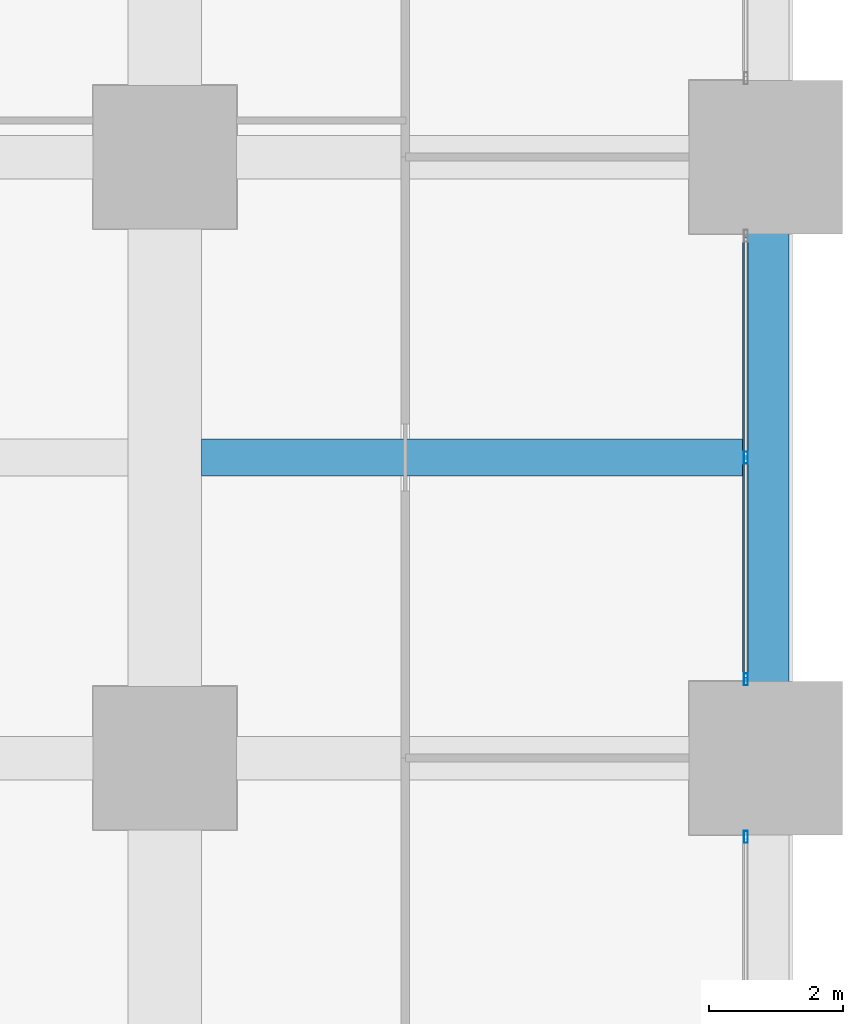
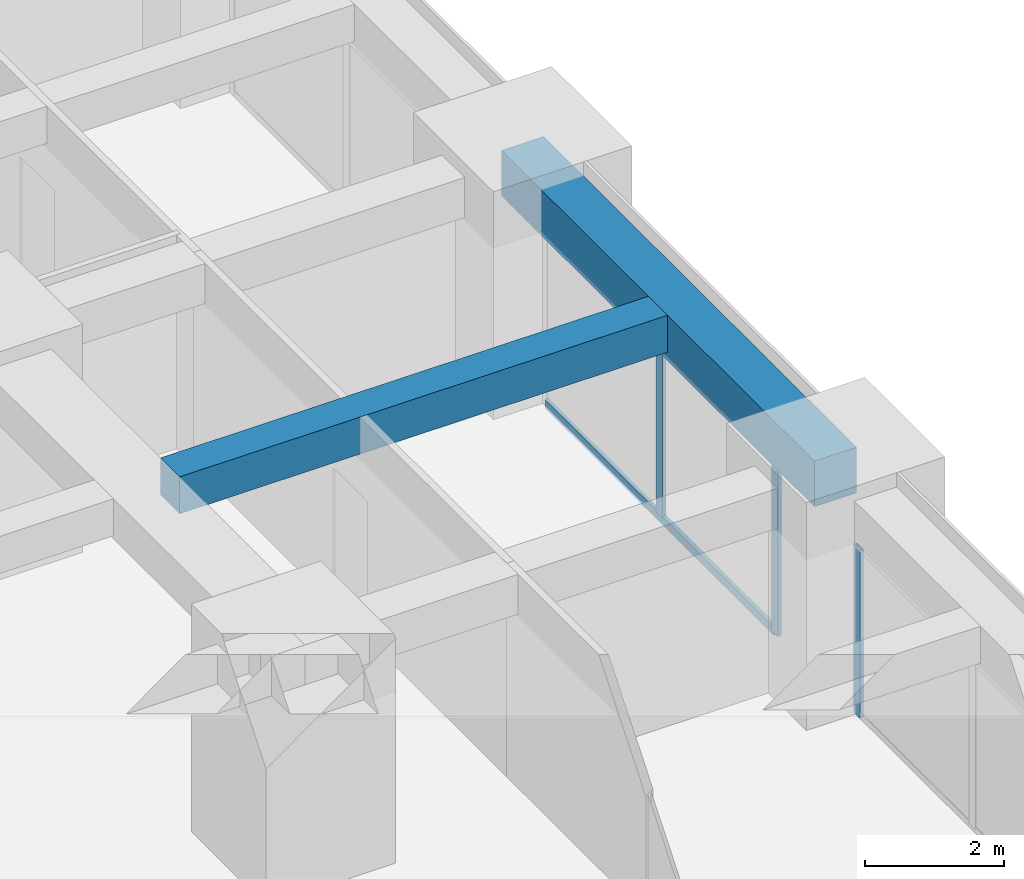
# One storey, part 22 of 44: 4 members, 2 beams, 2 elements without a shape of their own.
"""IFC4 building model written with IfcOpenShell, lengths in metres."""

from ifc_helpers import new_model, si_unit, direction, frame, origin, origin_2d, place, context, subcontext, project, spatial, rectangle, hollow_rectangle, extrude, material, material_profile, profile_set, type_object, element, aggregate, save


model = new_model("IFC4")

# Units and contexts
model_context = context("Model", 3, precision=1e-05, world=origin(), true_north=direction((0.0, 1.0)))
body_context = subcontext(model_context, "Body", "Model", "MODEL_VIEW")
ifc_project = project(units=[si_unit("LENGTHUNIT", "METRE"), si_unit("AREAUNIT", "SQUARE_METRE"), si_unit("VOLUMEUNIT", "CUBIC_METRE"), si_unit("PLANEANGLEUNIT", "RADIAN"), si_unit("MASSUNIT", "GRAM", prefix="KILO")], contexts=[model_context])

# Site, building, storey
site_placement = place(None, origin())
site = spatial("IfcSite", under=ifc_project, at=site_placement, CompositionType="ELEMENT")
building_placement = place(site_placement, origin())
building = spatial("IfcBuilding", under=site, at=building_placement, Name="Zorevar Civic Tower", CompositionType="ELEMENT")
storey_placement = place(building_placement, frame((0.0, 0.0, 55.800048828125)))
storey = spatial("IfcBuildingStorey", under=building, at=storey_placement, Name="L13", CompositionType="ELEMENT", Elevation=55.800048828125)

# Beam
ifc_material_1 = material(Name="Concrete C50/60", Category="concrete")
ifc_material_profile_1 = material_profile(ifc_material_1, rectangle(XDim=0.550048828125, YDim=0.64990234375, at=origin_2d()), Name="RC 550x650")
ifc_profile_set_1 = profile_set([ifc_material_profile_1], Name="Concrete C50/60")
beam_type_1 = type_object("IfcBeamType", Name="Beam RC 550x650", PredefinedType="BEAM", material=ifc_profile_set_1)
beam_1_placement = place(storey_placement, frame((54.550048828125, 31.5, 3.425048828125), z_axis=(1.0, 0.0, 0.0), x_axis=(0.0, 1.0, 0.0)))
element("IfcBeam", 1, at=beam_1_placement, inside=storey, type_object=beam_type_1, Name="Secondary beam L14", PredefinedType="BEAM", context=body_context, shape_type="SweptSolid", body=[
    extrude(rectangle(XDim=0.550048828125, YDim=0.64990234375, at=origin_2d()), origin(), (0.0, 0.0, 1.0), 8.099853515625),
])

# Curtain wall, member
ifc_material_2 = material(Name="Dark grey solar-control glass in black aluminium frame", Category="aluminium")
curtain_wall_type = type_object("IfcCurtainWallType", Name="Curtain wall CW2 low zone", PredefinedType="NOTDEFINED", material=ifc_material_2)
curtain_wall_1_placement = place(storey_placement, origin())
curtain_wall_1 = element("IfcCurtainWall", 2, at=curtain_wall_1_placement, inside=storey, type_object=curtain_wall_type, Name="CW2 L13", PredefinedType="NOTDEFINED")
ifc_material_3 = material(Name="Aluminium, black anodised", Category="aluminium")
ifc_material_profile_2 = material_profile(ifc_material_3, hollow_rectangle(XDim=0.06005859375, YDim=0.179931640625, WallThickness=0.00390625, at=origin_2d()), Name="AL 180x60x4")
ifc_profile_set_2 = profile_set([ifc_material_profile_2], Name="Aluminium, black anodised")
member_type_1 = type_object("IfcMemberType", Name="CW2 mullion AL 180x60x4", PredefinedType="MULLION", material=ifc_profile_set_2)
member_1_placement = place(storey_placement, frame((62.699951171875, 25.820068359375, 0.0), z_axis=(0.0, 0.0, 1.0), x_axis=(-1.0, 0.0, 0.0)))
member_1 = element("IfcMember", 3, at=member_1_placement, type_object=member_type_1, Name="CW2 mullion 3", PredefinedType="MULLION", context=body_context, shape_type="SweptSolid", body=[
    extrude(hollow_rectangle(XDim=0.06005859375, YDim=0.179931640625, WallThickness=0.00390625, at=origin_2d()), origin(), (0.0, 0.0, 1.0), 2.949951171875),
])
aggregate(curtain_wall_1, [member_1])

# Curtain wall, members
curtain_wall_2_placement = place(storey_placement, origin())
curtain_wall_2 = element("IfcCurtainWall", 4, at=curtain_wall_2_placement, inside=storey, type_object=curtain_wall_type, Name="CW2 L13", PredefinedType="NOTDEFINED")
member_2_placement = place(storey_placement, frame((62.699951171875, 28.179931640625, 0.0), z_axis=(0.0, 0.0, 1.0), x_axis=(-1.0, 0.0, 0.0)))
member_2 = element("IfcMember", 5, at=member_2_placement, type_object=member_type_1, Name="CW2 mullion 1", PredefinedType="MULLION", context=body_context, shape_type="SweptSolid", body=[
    extrude(hollow_rectangle(XDim=0.06005859375, YDim=0.179931640625, WallThickness=0.00390625, at=origin_2d()), origin(), (0.0, 0.0, 1.0), 2.949951171875),
])
member_3_placement = place(storey_placement, frame((62.699951171875, 31.5, 0.06005859375), z_axis=(0.0, 0.0, 1.0), x_axis=(-1.0, 0.0, 0.0)))
member_3 = element("IfcMember", 6, at=member_3_placement, type_object=member_type_1, Name="CW2 mullion 2", PredefinedType="MULLION", context=body_context, shape_type="SweptSolid", body=[
    extrude(hollow_rectangle(XDim=0.06005859375, YDim=0.179931640625, WallThickness=0.00390625, at=origin_2d()), origin(), (0.0, 0.0, 1.0), 2.889892578125),
])
ifc_material_4 = material(Name="Aluminium, black anodised", Category="aluminium")
ifc_material_profile_3 = material_profile(ifc_material_4, hollow_rectangle(XDim=0.06005859375, YDim=0.14990234375, WallThickness=0.00390625, at=origin_2d()), Name="AL 150x60x4")
ifc_profile_set_3 = profile_set([ifc_material_profile_3], Name="Aluminium, black anodised")
member_type_2 = type_object("IfcMemberType", Name="CW2 transom AL 150x60x4", PredefinedType="USERDEFINED", material=ifc_profile_set_3)
member_4_placement = place(storey_placement, frame((62.699951171875, 28.2099609375, 0.030029296875), z_axis=(0.0, 1.0, 0.0), x_axis=(-1.0, 0.0, 0.0)))
member_4 = element("IfcMember", 7, at=member_4_placement, type_object=member_type_2, Name="CW2 sill transom", ObjectType="TRANSOM", PredefinedType="USERDEFINED", context=body_context, shape_type="SweptSolid", body=[
    extrude(hollow_rectangle(XDim=0.06005859375, YDim=0.14990234375, WallThickness=0.00390625, at=origin_2d()), origin(), (0.0, 0.0, 1.0), 6.580078125),
])
aggregate(curtain_wall_2, [member_2, member_3, member_4])

# Beam
ifc_material_5 = material(Name="Concrete C50/60", Category="concrete")
ifc_material_profile_4 = material_profile(ifc_material_5, rectangle(XDim=0.699951171875, YDim=0.800048828125, at=origin_2d()), Name="RC 700x800")
ifc_profile_set_4 = profile_set([ifc_material_profile_4], Name="Concrete C50/60")
beam_type_2 = type_object("IfcBeamType", Name="Edge beam RC 700x800", PredefinedType="SPANDREL", material=ifc_profile_set_4)
beam_2_placement = place(storey_placement, frame((63.0, 27.0, 3.349853515625), z_axis=(0.0, 1.0, 0.0), x_axis=(-1.0, 0.0, 0.0)))
element("IfcBeam", 8, at=beam_2_placement, inside=storey, type_object=beam_type_2, Name="Edge beam L14", PredefinedType="SPANDREL", context=body_context, shape_type="SweptSolid", body=[
    extrude(rectangle(XDim=0.699951171875, YDim=0.800048828125, at=origin_2d()), origin(), (0.0, 0.0, 1.0), 9.0),
])

save(model, "model.ifc")
